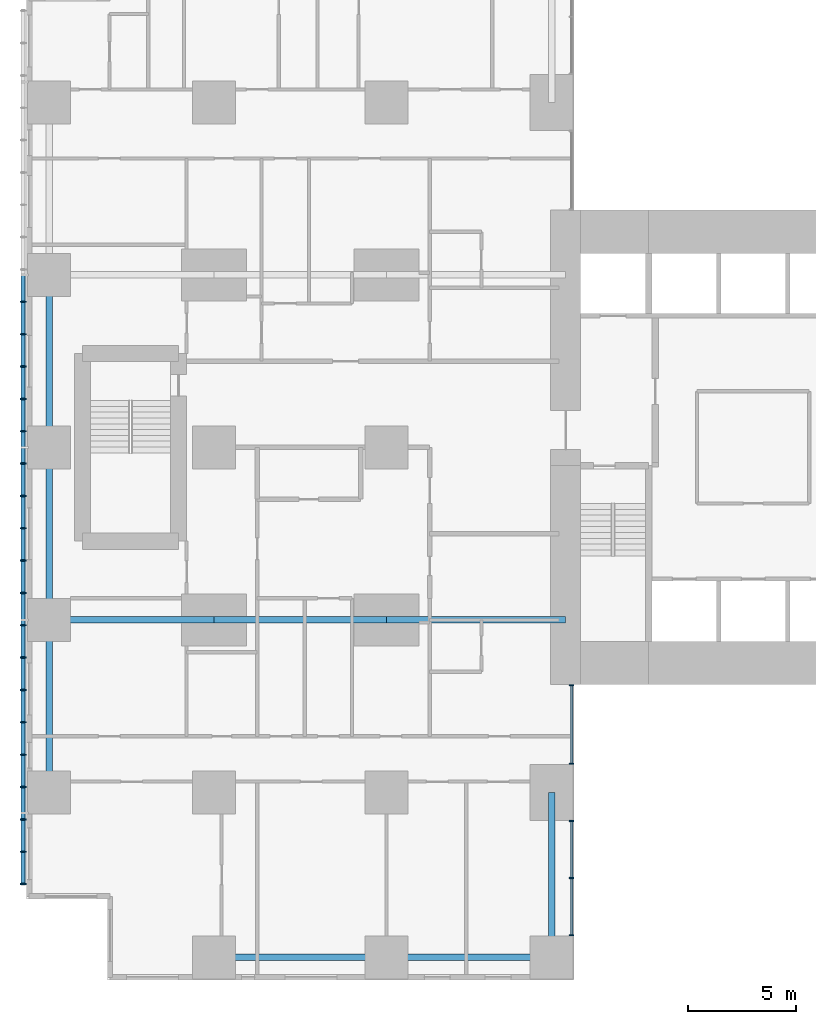
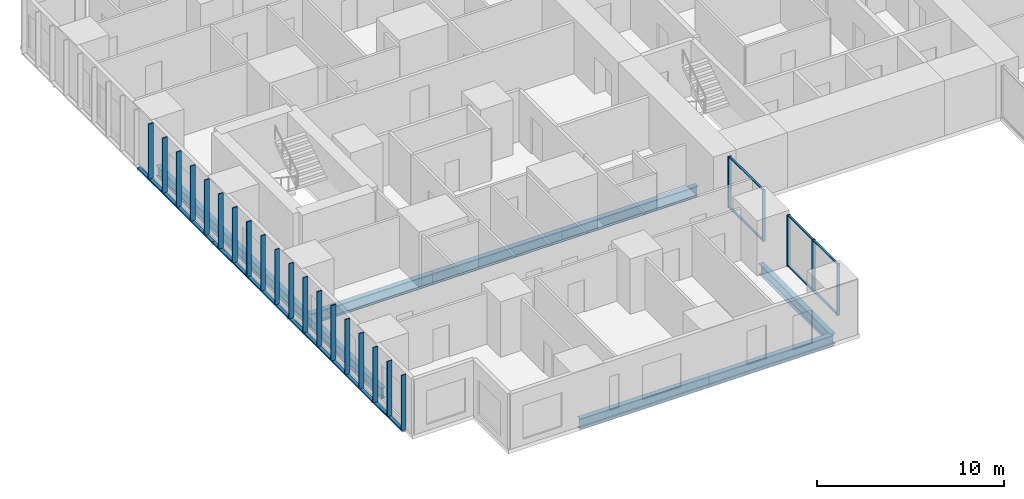
# One storey, part 2 of 20: 33 members, 9 beams, 2 elements without a shape of their own.
"""IFC4 building model written with IfcOpenShell, lengths in metres."""

from ifc_helpers import new_model, si_unit, direction, frame, origin, origin_2d, place, context, subcontext, project, spatial, rectangle, hollow_rectangle, i_section, extrude, material, layer, layer_set, material_profile, profile_set, type_object, element, aggregate, save


model = new_model("IFC4")

# Units and contexts
model_context = context("Model", 3, precision=1e-05, world=origin(), true_north=direction((0.0, 1.0)))
body_context = subcontext(model_context, "Body", "Model", "MODEL_VIEW")
ifc_project = project(units=[si_unit("LENGTHUNIT", "METRE"), si_unit("AREAUNIT", "SQUARE_METRE"), si_unit("VOLUMEUNIT", "CUBIC_METRE"), si_unit("PLANEANGLEUNIT", "RADIAN"), si_unit("MASSUNIT", "GRAM", prefix="KILO")], contexts=[model_context])

# Site, building, storey
site_placement = place(None, origin())
site = spatial("IfcSite", under=ifc_project, at=site_placement, CompositionType="ELEMENT")
building_placement = place(site_placement, origin())
building = spatial("IfcBuilding", under=site, at=building_placement, Name="Cleftline Residences", CompositionType="ELEMENT")
storey_placement = place(building_placement, frame((0.0, 0.0, 121.39990234375)))
storey = spatial("IfcBuildingStorey", under=building, at=storey_placement, Name="L31", CompositionType="ELEMENT", Elevation=121.39990234375)

# Members
ifc_material_1 = material(Name="Steel S355, hot-dip galvanised", Category="steel")
ifc_material_profile_1 = material_profile(ifc_material_1, hollow_rectangle(XDim=0.10009765625, YDim=0.199951171875, WallThickness=0.008056640625, InnerFilletRadius=0.008056640625, OuterFilletRadius=0.011962890625, at=origin_2d()))
ifc_profile_set_1 = profile_set([ifc_material_profile_1], Name="Steel S355, hot-dip galvanised")
member_type_1 = type_object("IfcMemberType", Name="BAGUETTE CARRIER RHS 200X100X8", PredefinedType="USERDEFINED", material=ifc_profile_set_1)
for number, where, z_axis, x_axis, name in (
    (1, (-0.85009765625, 32.0, -0.0498046875), (0.0, -1.0, 0.0), (0.0, 0.0, 1.0), "Baguette carrier"),
    (2, (-0.85009765625, 24.0, -0.0498046875), (0.0, -1.0, 0.0), (0.0, 0.0, 1.0), "Baguette carrier"),
):
    element("IfcMember", number, at=place(storey_placement, frame(where, z_axis=z_axis, x_axis=x_axis)), inside=storey, type_object=member_type_1, Name=name, ObjectType="BAGUETTE CARRIER", PredefinedType="USERDEFINED", context=body_context, shape_type="SweptSolid", body=[
        extrude(hollow_rectangle(XDim=0.10009765625, YDim=0.199951171875, WallThickness=0.008056640625, InnerFilletRadius=0.008056640625, OuterFilletRadius=0.011962890625, at=origin_2d()), origin(), (0.0, 0.0, 1.0), 8.0),
    ])
member_1_placement = place(storey_placement, frame((-0.85009765625, 16.0, -0.0498046875), z_axis=(0.0, -1.0, 0.0), x_axis=(0.0, 0.0, 1.0)))
element("IfcMember", 3, at=member_1_placement, inside=storey, type_object=member_type_1, Name="Baguette carrier", ObjectType="BAGUETTE CARRIER", PredefinedType="USERDEFINED", context=body_context, shape_type="SweptSolid", body=[
    extrude(hollow_rectangle(XDim=0.10009765625, YDim=0.199951171875, WallThickness=0.008056640625, InnerFilletRadius=0.008056640625, OuterFilletRadius=0.011962890625, at=origin_2d()), origin(), (0.0, 0.0, 1.0), 12.300048828125),
])

# Beams
ifc_material_2 = material(Name="Steel S355", Category="steel")
ifc_material_profile_2 = material_profile(ifc_material_2, i_section(OverallWidth=0.300048828125, OverallDepth=0.699951171875, WebThickness=0.01708984375, FlangeThickness=0.031982421875, FilletRadius=0.027099609375, at=origin_2d()))
ifc_profile_set_2 = profile_set([ifc_material_profile_2], Name="Steel S355")
beam_type_1 = type_object("IfcBeamType", Name="BEAM HEB 700", PredefinedType="BEAM", material=ifc_profile_set_2)
for number, where, z_axis, x_axis, name in (
    (4, (0.35009765625, 8.0, -0.599853515625), (0.0, 1.0, 0.0), (-1.0, 0.0, 0.0), "Edge beam"),
    (5, (0.35009765625, 16.0, -0.599853515625), (0.0, 1.0, 0.0), (-1.0, 0.0, 0.0), "Edge beam"),
    (6, (0.35009765625, 24.0, -0.599853515625), (0.0, 1.0, 0.0), (-1.0, 0.0, 0.0), "Edge beam"),
    (7, (8.0, 0.35009765625, -0.599853515625), (1.0, 0.0, 0.0), (0.0, 1.0, 0.0), "Edge beam"),
):
    element("IfcBeam", number, at=place(storey_placement, frame(where, z_axis=z_axis, x_axis=x_axis)), inside=storey, type_object=beam_type_1, Name=name, PredefinedType="BEAM", context=body_context, shape_type="SweptSolid", body=[
        extrude(i_section(OverallWidth=0.300048828125, OverallDepth=0.699951171875, WebThickness=0.01708984375, FlangeThickness=0.031982421875, FilletRadius=0.027099609375, at=origin_2d()), origin(), (0.0, 0.0, 1.0), 8.0),
    ])
for number, where, z_axis, x_axis, name in (
    (8, (16.0, 0.35009765625, -0.599853515625), (1.0, 0.0, 0.0), (0.0, 1.0, 0.0), "Edge beam"),
    (9, (23.64990234375, 0.35009765625, -0.599853515625), (0.0, 1.0, 0.0), (-1.0, 0.0, 0.0), "Edge beam"),
):
    element("IfcBeam", number, at=place(storey_placement, frame(where, z_axis=z_axis, x_axis=x_axis)), inside=storey, type_object=beam_type_1, Name=name, PredefinedType="BEAM", context=body_context, shape_type="SweptSolid", body=[
        extrude(i_section(OverallWidth=0.300048828125, OverallDepth=0.699951171875, WebThickness=0.01708984375, FlangeThickness=0.031982421875, FilletRadius=0.027099609375, at=origin_2d()), origin(), (0.0, 0.0, 1.0), 7.64990234375),
    ])
ifc_material_3 = material(Name="Steel S355", Category="steel")
ifc_material_profile_3 = material_profile(ifc_material_3, i_section(OverallWidth=0.303955078125, OverallDepth=0.716064453125, WebThickness=0.02099609375, FlangeThickness=0.0400390625, FilletRadius=0.027099609375, at=origin_2d()))
ifc_profile_set_3 = profile_set([ifc_material_profile_3], Name="Steel S355")
beam_type_2 = type_object("IfcBeamType", Name="BEAM HEM 700", PredefinedType="BEAM", material=ifc_profile_set_3)
beam_1_placement = place(storey_placement, frame((0.35009765625, 16.0, -0.60791015625), z_axis=(1.0, 0.0, 0.0), x_axis=(0.0, 1.0, 0.0)))
element("IfcBeam", 10, at=beam_1_placement, inside=storey, type_object=beam_type_2, Name="Band beam", PredefinedType="BEAM", context=body_context, shape_type="SweptSolid", body=[
    extrude(i_section(OverallWidth=0.303955078125, OverallDepth=0.716064453125, WebThickness=0.02099609375, FlangeThickness=0.0400390625, FilletRadius=0.027099609375, at=origin_2d()), origin(), (0.0, 0.0, 1.0), 7.64990234375),
])
beam_2_placement = place(storey_placement, frame((8.0, 16.0, -0.60791015625), z_axis=(1.0, 0.0, 0.0), x_axis=(0.0, 1.0, 0.0)))
element("IfcBeam", 11, at=beam_2_placement, inside=storey, type_object=beam_type_2, Name="Band beam", PredefinedType="BEAM", context=body_context, shape_type="SweptSolid", body=[
    extrude(i_section(OverallWidth=0.303955078125, OverallDepth=0.716064453125, WebThickness=0.02099609375, FlangeThickness=0.0400390625, FilletRadius=0.027099609375, at=origin_2d()), origin(), (0.0, 0.0, 1.0), 8.0),
])
beam_3_placement = place(storey_placement, frame((16.0, 16.0, -0.60791015625), z_axis=(1.0, 0.0, 0.0), x_axis=(0.0, 1.0, 0.0)))
element("IfcBeam", 12, at=beam_3_placement, inside=storey, type_object=beam_type_2, Name="Band beam", PredefinedType="BEAM", context=body_context, shape_type="SweptSolid", body=[
    extrude(i_section(OverallWidth=0.303955078125, OverallDepth=0.716064453125, WebThickness=0.02099609375, FlangeThickness=0.0400390625, FilletRadius=0.027099609375, at=origin_2d()), origin(), (0.0, 0.0, 1.0), 8.300048828125),
])

# Curtain wall, members
ifc_material_4 = material(Name="Aluminium framed curtain wall", Category="aluminium")
ifc_layer = layer(ifc_material_4, 0.199951171875)
ifc_layer_set = layer_set([ifc_layer], Name="CW1 CLEFT GLAZING")
curtain_wall_type = type_object("IfcCurtainWallType", Name="CW1 CLEFT GLAZING", PredefinedType="NOTDEFINED", material=ifc_layer_set)
curtain_wall_1_placement = place(storey_placement, origin())
curtain_wall_1 = element("IfcCurtainWall", 13, at=curtain_wall_1_placement, inside=storey, type_object=curtain_wall_type, Name="Curtain wall CW1", PredefinedType="NOTDEFINED")
ifc_material_5 = material(Name="Aluminium mullion", Category="aluminium")
ifc_material_profile_4 = material_profile(ifc_material_5, rectangle(XDim=0.199951171875, YDim=0.06005859375, at=origin_2d()))
ifc_profile_set_4 = profile_set([ifc_material_profile_4], Name="Aluminium mullion")
member_type_2 = type_object("IfcMemberType", Name="CW1 MULLION", PredefinedType="MULLION", material=ifc_profile_set_4)
member_2_placement = place(storey_placement, frame((24.574951171875, 1.3798828125, 0.0), z_axis=(0.0, 0.0, 1.0), x_axis=(-1.0, 0.0, 0.0)))
member_2 = element("IfcMember", 14, at=member_2_placement, type_object=member_type_2, Name="CW1 mullion 1", PredefinedType="MULLION", context=body_context, shape_type="SweptSolid", body=[
    extrude(rectangle(XDim=0.199951171875, YDim=0.06005859375, at=origin_2d()), origin(), (0.0, 0.0, 1.0), 3.35009765625),
])
member_3_placement = place(storey_placement, frame((24.574951171875, 4.02490234375, 0.0), z_axis=(0.0, 0.0, 1.0), x_axis=(-1.0, 0.0, 0.0)))
member_3 = element("IfcMember", 15, at=member_3_placement, type_object=member_type_2, Name="CW1 mullion 2", PredefinedType="MULLION", context=body_context, shape_type="SweptSolid", body=[
    extrude(rectangle(XDim=0.199951171875, YDim=0.06005859375, at=origin_2d()), origin(), (0.0, 0.0, 1.0), 3.35009765625),
])
member_4_placement = place(storey_placement, frame((24.574951171875, 6.669921875, 0.0), z_axis=(0.0, 0.0, 1.0), x_axis=(-1.0, 0.0, 0.0)))
member_4 = element("IfcMember", 16, at=member_4_placement, type_object=member_type_2, Name="CW1 mullion 3", PredefinedType="MULLION", context=body_context, shape_type="SweptSolid", body=[
    extrude(rectangle(XDim=0.199951171875, YDim=0.06005859375, at=origin_2d()), origin(), (0.0, 0.0, 1.0), 3.35009765625),
])

curtain_wall_2_placement = place(storey_placement, origin())
curtain_wall_2 = element("IfcCurtainWall", 17, at=curtain_wall_2_placement, inside=storey, type_object=curtain_wall_type, Name="Curtain wall CW1", PredefinedType="NOTDEFINED")
member_5_placement = place(storey_placement, frame((24.574951171875, 9.330078125, 0.0), z_axis=(0.0, 0.0, 1.0), x_axis=(-1.0, 0.0, 0.0)))
member_5 = element("IfcMember", 18, at=member_5_placement, type_object=member_type_2, Name="CW1 mullion 1", PredefinedType="MULLION", context=body_context, shape_type="SweptSolid", body=[
    extrude(rectangle(XDim=0.199951171875, YDim=0.06005859375, at=origin_2d()), origin(), (0.0, 0.0, 1.0), 3.35009765625),
])
member_6_placement = place(storey_placement, frame((24.574951171875, 12.969970703125, 0.0), z_axis=(0.0, 0.0, 1.0), x_axis=(-1.0, 0.0, 0.0)))
member_6 = element("IfcMember", 19, at=member_6_placement, type_object=member_type_2, Name="CW1 mullion 2", PredefinedType="MULLION", context=body_context, shape_type="SweptSolid", body=[
    extrude(rectangle(XDim=0.199951171875, YDim=0.06005859375, at=origin_2d()), origin(), (0.0, 0.0, 1.0), 3.35009765625),
])

# Member
ifc_material_6 = material(Name="Aluminium transom", Category="aluminium")
ifc_material_profile_5 = material_profile(ifc_material_6, rectangle(XDim=0.1201171875, YDim=0.06005859375, at=origin_2d()))
ifc_profile_set_5 = profile_set([ifc_material_profile_5], Name="Aluminium transom")
member_type_3 = type_object("IfcMemberType", Name="CW1 TRANSOM", PredefinedType="USERDEFINED", material=ifc_profile_set_5)
member_7_placement = place(storey_placement, frame((24.574951171875, 1.409912109375, 0.030029296875), z_axis=(0.0, 1.0, 0.0), x_axis=(-1.0, 0.0, 0.0)))
member_7 = element("IfcMember", 20, at=member_7_placement, type_object=member_type_3, Name="CW1 transom 1.1", ObjectType="TRANSOM", PredefinedType="USERDEFINED", context=body_context, shape_type="SweptSolid", body=[
    extrude(rectangle(XDim=0.1201171875, YDim=0.06005859375, at=origin_2d()), origin(), (0.0, 0.0, 1.0), 2.585205078125),
])

member_8_placement = place(storey_placement, frame((24.574951171875, 1.409912109375, 3.320068359375), z_axis=(0.0, 1.0, 0.0), x_axis=(-1.0, 0.0, 0.0)))
member_8 = element("IfcMember", 21, at=member_8_placement, type_object=member_type_3, Name="CW1 transom 1.2", ObjectType="TRANSOM", PredefinedType="USERDEFINED", context=body_context, shape_type="SweptSolid", body=[
    extrude(rectangle(XDim=0.1201171875, YDim=0.06005859375, at=origin_2d()), origin(), (0.0, 0.0, 1.0), 2.585205078125),
])

member_9_placement = place(storey_placement, frame((24.574951171875, 4.054931640625, 0.030029296875), z_axis=(0.0, 1.0, 0.0), x_axis=(-1.0, 0.0, 0.0)))
member_9 = element("IfcMember", 22, at=member_9_placement, type_object=member_type_3, Name="CW1 transom 2.1", ObjectType="TRANSOM", PredefinedType="USERDEFINED", context=body_context, shape_type="SweptSolid", body=[
    extrude(rectangle(XDim=0.1201171875, YDim=0.06005859375, at=origin_2d()), origin(), (0.0, 0.0, 1.0), 2.5849609375),
])

member_10_placement = place(storey_placement, frame((24.574951171875, 4.054931640625, 3.320068359375), z_axis=(0.0, 1.0, 0.0), x_axis=(-1.0, 0.0, 0.0)))
member_10 = element("IfcMember", 23, at=member_10_placement, type_object=member_type_3, Name="CW1 transom 2.2", ObjectType="TRANSOM", PredefinedType="USERDEFINED", context=body_context, shape_type="SweptSolid", body=[
    extrude(rectangle(XDim=0.1201171875, YDim=0.06005859375, at=origin_2d()), origin(), (0.0, 0.0, 1.0), 2.5849609375),
])

aggregate(curtain_wall_1, [member_2, member_3, member_4, member_7, member_8, member_9, member_10])

member_11_placement = place(storey_placement, frame((24.574951171875, 9.360107421875, 0.030029296875), z_axis=(0.0, 1.0, 0.0), x_axis=(-1.0, 0.0, 0.0)))
member_11 = element("IfcMember", 24, at=member_11_placement, type_object=member_type_3, Name="CW1 transom 1.1", ObjectType="TRANSOM", PredefinedType="USERDEFINED", context=body_context, shape_type="SweptSolid", body=[
    extrude(rectangle(XDim=0.1201171875, YDim=0.06005859375, at=origin_2d()), origin(), (0.0, 0.0, 1.0), 3.579833984375),
])

member_12_placement = place(storey_placement, frame((24.574951171875, 9.360107421875, 3.320068359375), z_axis=(0.0, 1.0, 0.0), x_axis=(-1.0, 0.0, 0.0)))
member_12 = element("IfcMember", 25, at=member_12_placement, type_object=member_type_3, Name="CW1 transom 1.2", ObjectType="TRANSOM", PredefinedType="USERDEFINED", context=body_context, shape_type="SweptSolid", body=[
    extrude(rectangle(XDim=0.1201171875, YDim=0.06005859375, at=origin_2d()), origin(), (0.0, 0.0, 1.0), 3.579833984375),
])

aggregate(curtain_wall_2, [member_5, member_6, member_11, member_12])

# Members
ifc_material_7 = material(Name="Extruded terracotta", Category="masonry")
ifc_material_profile_6 = material_profile(ifc_material_7, rectangle(XDim=0.06005859375, YDim=0.300048828125, at=origin_2d()))
ifc_profile_set_6 = profile_set([ifc_material_profile_6], Name="Extruded terracotta")
member_type_4 = type_object("IfcMemberType", Name="TERRACOTTA BAGUETTE 60X300", PredefinedType="USERDEFINED", material=ifc_profile_set_6)
for number, where, z_axis, x_axis, name in (
    (26, (-0.85009765625, 30.75, 0.0), (0.0, 0.0, 1.0), (0.0, 1.0, 0.0), "Terracotta baguette"),
    (27, (-0.85009765625, 29.25, 0.0), (0.0, 0.0, 1.0), (0.0, 1.0, 0.0), "Terracotta baguette"),
    (28, (-0.85009765625, 27.75, 0.0), (0.0, 0.0, 1.0), (0.0, 1.0, 0.0), "Terracotta baguette"),
    (29, (-0.85009765625, 26.25, 0.0), (0.0, 0.0, 1.0), (0.0, 1.0, 0.0), "Terracotta baguette"),
    (30, (-0.85009765625, 24.75, 0.0), (0.0, 0.0, 1.0), (0.0, 1.0, 0.0), "Terracotta baguette"),
    (31, (-0.85009765625, 23.25, 0.0), (0.0, 0.0, 1.0), (0.0, 1.0, 0.0), "Terracotta baguette"),
    (32, (-0.85009765625, 21.75, 0.0), (0.0, 0.0, 1.0), (0.0, 1.0, 0.0), "Terracotta baguette"),
    (33, (-0.85009765625, 20.25, 0.0), (0.0, 0.0, 1.0), (0.0, 1.0, 0.0), "Terracotta baguette"),
    (34, (-0.85009765625, 18.75, 0.0), (0.0, 0.0, 1.0), (0.0, 1.0, 0.0), "Terracotta baguette"),
    (35, (-0.85009765625, 17.25, 0.0), (0.0, 0.0, 1.0), (0.0, 1.0, 0.0), "Terracotta baguette"),
    (36, (-0.85009765625, 15.75, 0.0), (0.0, 0.0, 1.0), (0.0, 1.0, 0.0), "Terracotta baguette"),
    (37, (-0.85009765625, 14.25, 0.0), (0.0, 0.0, 1.0), (0.0, 1.0, 0.0), "Terracotta baguette"),
    (38, (-0.85009765625, 12.75, 0.0), (0.0, 0.0, 1.0), (0.0, 1.0, 0.0), "Terracotta baguette"),
    (39, (-0.85009765625, 11.25, 0.0), (0.0, 0.0, 1.0), (0.0, 1.0, 0.0), "Terracotta baguette"),
    (40, (-0.85009765625, 9.75, 0.0), (0.0, 0.0, 1.0), (0.0, 1.0, 0.0), "Terracotta baguette"),
    (41, (-0.85009765625, 8.25, 0.0), (0.0, 0.0, 1.0), (0.0, 1.0, 0.0), "Terracotta baguette"),
    (42, (-0.85009765625, 6.75, 0.0), (0.0, 0.0, 1.0), (0.0, 1.0, 0.0), "Terracotta baguette"),
    (43, (-0.85009765625, 5.25, 0.0), (0.0, 0.0, 1.0), (0.0, 1.0, 0.0), "Terracotta baguette"),
    (44, (-0.85009765625, 3.75, 0.0), (0.0, 0.0, 1.0), (0.0, 1.0, 0.0), "Terracotta baguette"),
):
    element("IfcMember", number, at=place(storey_placement, frame(where, z_axis=z_axis, x_axis=x_axis)), inside=storey, type_object=member_type_4, Name=name, ObjectType="BAGUETTE", PredefinedType="USERDEFINED", context=body_context, shape_type="SweptSolid", body=[
        extrude(rectangle(XDim=0.06005859375, YDim=0.300048828125, at=origin_2d()), origin(), (0.0, 0.0, 1.0), 3.60009765625),
    ])

save(model, "model.ifc")
